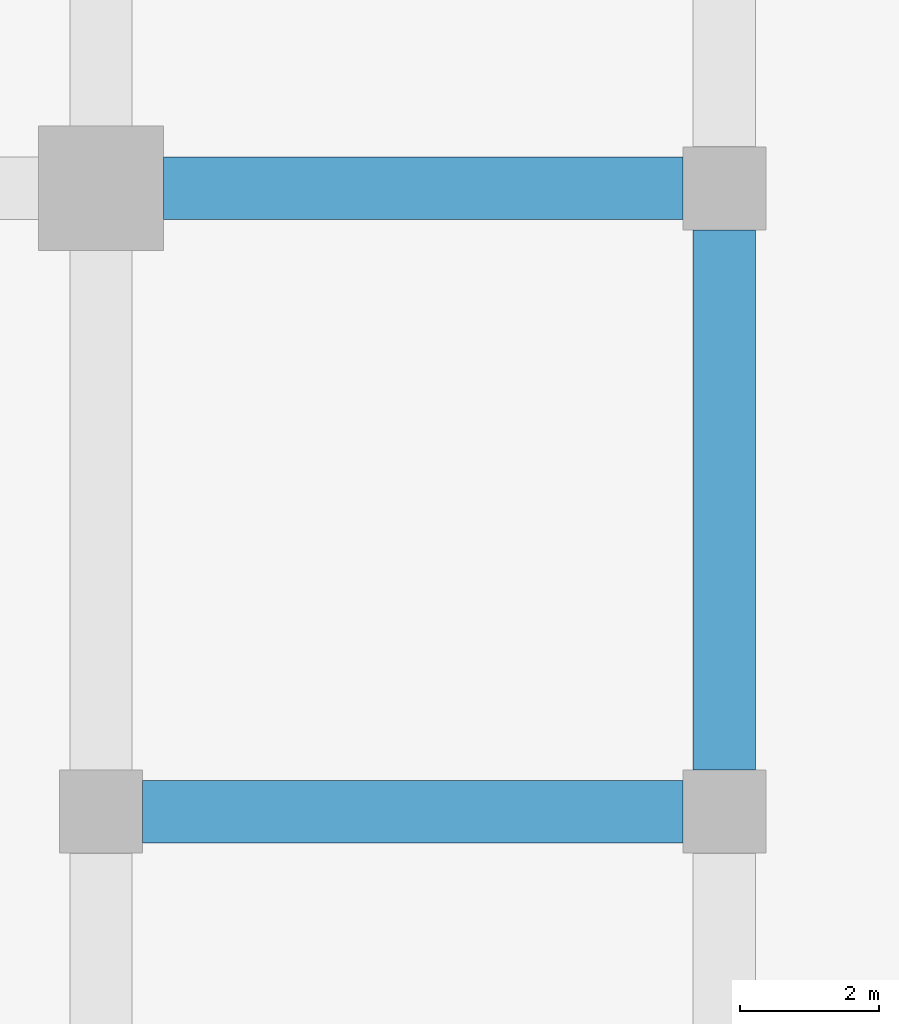
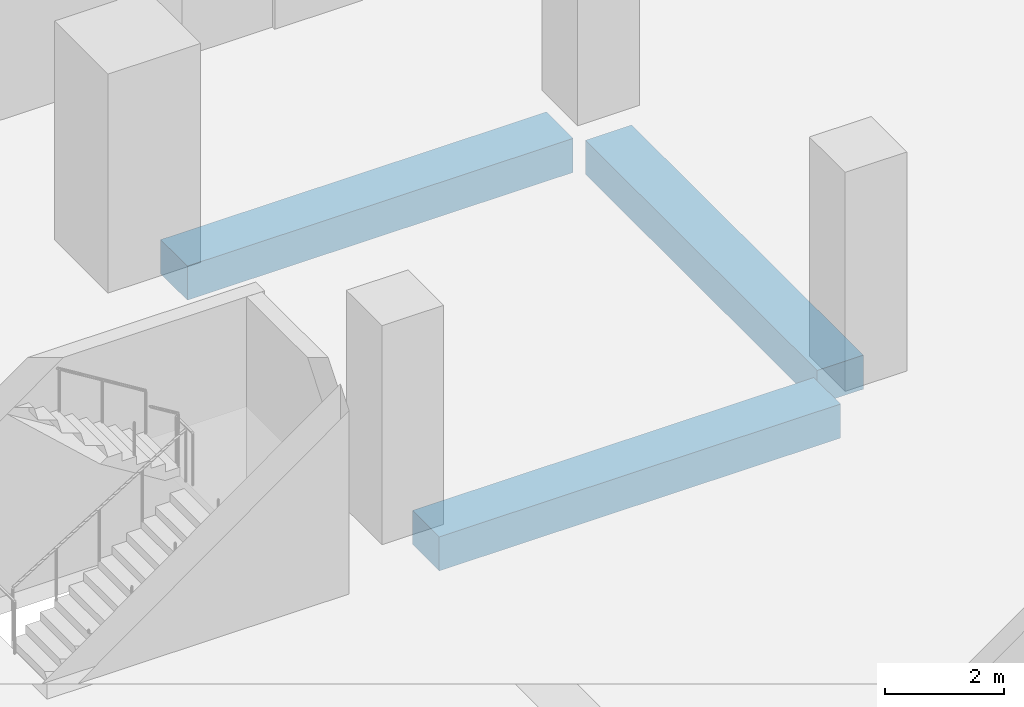
# One storey, part 15 of 43: 3 beams.
"""IFC4 building model written with IfcOpenShell, lengths in metres."""

from ifc_helpers import new_model, si_unit, direction, frame, origin, origin_2d, place, context, subcontext, project, spatial, rectangle, extrude, material, material_profile, profile_set, type_object, element, save


model = new_model("IFC4")

# Units and contexts
model_context = context("Model", 3, precision=1e-05, world=origin(), true_north=direction((0.0, 1.0)))
body_context = subcontext(model_context, "Body", "Model", "MODEL_VIEW")
ifc_project = project(units=[si_unit("LENGTHUNIT", "METRE"), si_unit("AREAUNIT", "SQUARE_METRE"), si_unit("VOLUMEUNIT", "CUBIC_METRE"), si_unit("PLANEANGLEUNIT", "RADIAN"), si_unit("MASSUNIT", "GRAM", prefix="KILO")], contexts=[model_context])

# Site, building, storey
site_placement = place(None, origin())
site = spatial("IfcSite", under=ifc_project, at=site_placement, CompositionType="ELEMENT")
building_placement = place(site_placement, origin())
building = spatial("IfcBuilding", under=site, at=building_placement, Name="Plateau Cross Towers", CompositionType="ELEMENT")
storey_placement = place(building_placement, frame((0.0, 0.0, 12.800048828125)))
storey = spatial("IfcBuildingStorey", under=building, at=storey_placement, Name="L02", CompositionType="ELEMENT", Elevation=12.800048828125)

# Beams
ifc_material = material(Name="Concrete C50/60", Category="concrete")
ifc_material_profile = material_profile(ifc_material, rectangle(XDim=0.89990234375, YDim=0.699951171875, at=origin_2d()), Name="RC 900x700")
ifc_profile_set = profile_set([ifc_material_profile], Name="Concrete C50/60")
beam_type = type_object("IfcBeamType", Name="Podium band beam RC 900x700", PredefinedType="BEAM", material=ifc_profile_set)
beam_1_placement = place(storey_placement, frame((54.60009765625, 9.0, -0.699951171875), z_axis=(1.0, 0.0, 0.0), x_axis=(0.0, 1.0, 0.0)))
element("IfcBeam", 1, at=beam_1_placement, inside=storey, type_object=beam_type, Name="PB27@L02", PredefinedType="BEAM", context=body_context, shape_type="SweptSolid", body=[
    extrude(rectangle(XDim=0.89990234375, YDim=0.699951171875, at=origin_2d()), origin(), (0.0, 0.0, 1.0), 7.7998046875),
])
beam_2_placement = place(storey_placement, frame((54.89990234375, 18.0, -0.699951171875), z_axis=(1.0, 0.0, 0.0), x_axis=(0.0, 1.0, 0.0)))
element("IfcBeam", 2, at=beam_2_placement, inside=storey, type_object=beam_type, Name="PB31@L02", PredefinedType="BEAM", context=body_context, shape_type="SweptSolid", body=[
    extrude(rectangle(XDim=0.89990234375, YDim=0.699951171875, at=origin_2d()), origin(), (0.0, 0.0, 1.0), 7.5),
])
beam_3_placement = place(storey_placement, frame((63.0, 9.60009765625, -0.699951171875), z_axis=(0.0, 1.0, 0.0), x_axis=(-1.0, 0.0, 0.0)))
element("IfcBeam", 3, at=beam_3_placement, inside=storey, type_object=beam_type, Name="PB151@L02", PredefinedType="BEAM", context=body_context, shape_type="SweptSolid", body=[
    extrude(rectangle(XDim=0.89990234375, YDim=0.699951171875, at=origin_2d()), origin(), (0.0, 0.0, 1.0), 7.7998046875),
])

save(model, "model.ifc")
